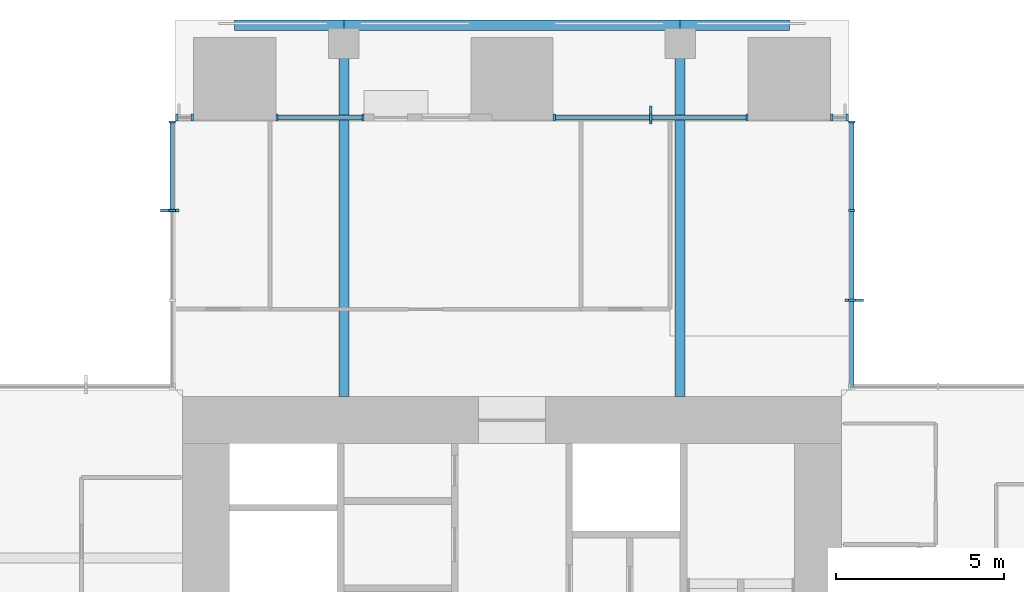
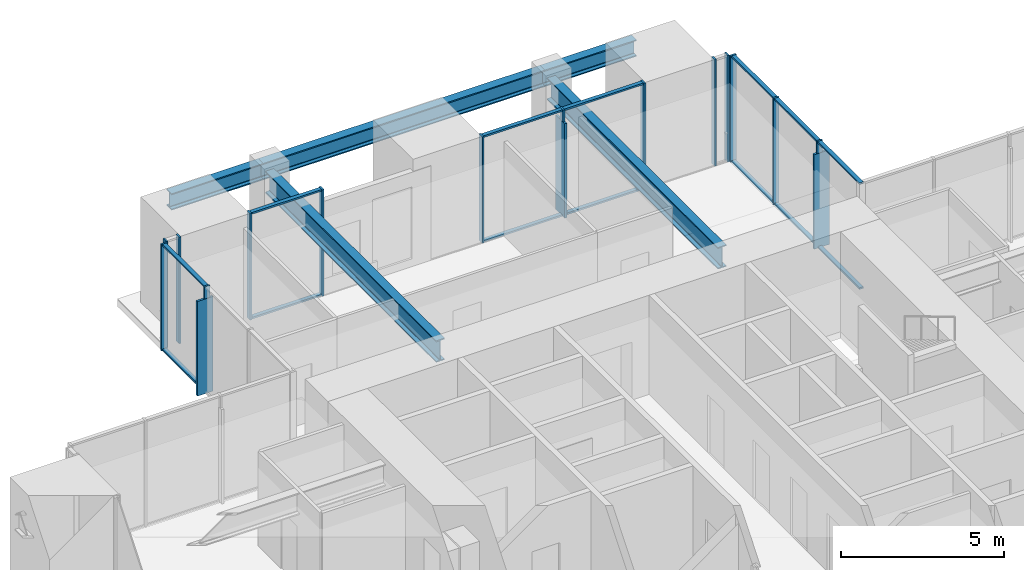
# One storey, part 5 of 17: 31 members, 5 beams, 6 elements without a shape of their own.
"""IFC4 building model written with IfcOpenShell, lengths in metres."""

from ifc_helpers import new_model, si_unit, direction, frame, origin, origin_2d, place, context, subcontext, project, spatial, rectangle, i_section, extrude, material, material_profile, profile_set, type_object, element, aggregate, save


model = new_model("IFC4")

# Units and contexts
model_context = context("Model", 3, precision=1e-05, world=origin(), true_north=direction((0.0, 1.0)))
body_context = subcontext(model_context, "Body", "Model", "MODEL_VIEW")
ifc_project = project(units=[si_unit("LENGTHUNIT", "METRE"), si_unit("AREAUNIT", "SQUARE_METRE"), si_unit("VOLUMEUNIT", "CUBIC_METRE"), si_unit("PLANEANGLEUNIT", "RADIAN"), si_unit("MASSUNIT", "GRAM", prefix="KILO")], contexts=[model_context])

# Site, building, storey
site_placement = place(None, origin())
site = spatial("IfcSite", under=ifc_project, at=site_placement, CompositionType="ELEMENT")
building_placement = place(site_placement, origin())
building = spatial("IfcBuilding", under=site, at=building_placement, Name="Svetlomir Tower", CompositionType="ELEMENT")
storey_placement = place(building_placement, frame((0.0, 0.0, 230.5)))
storey = spatial("IfcBuildingStorey", under=building, at=storey_placement, Name="L55", CompositionType="ELEMENT", Elevation=230.5)

# Curtain wall, member
ifc_material_1 = material(Name="Bronze anodised aluminium curtain wall", Category="aluminium")
curtain_wall_type = type_object("IfcCurtainWallType", Name="CURTAIN WALL CW1 TOWER OFFICE", PredefinedType="NOTDEFINED", material=ifc_material_1)
curtain_wall_1_placement = place(storey_placement, origin())
curtain_wall_1 = element("IfcCurtainWall", 1, at=curtain_wall_1_placement, inside=storey, type_object=curtain_wall_type, Name="Curtain wall CW1 L55", PredefinedType="NOTDEFINED")
ifc_material_2 = material(Name="Bronze anodised aluminium", Category="aluminium")
ifc_material_profile_1 = material_profile(ifc_material_2, rectangle(XDim=0.080078125, YDim=0.550048828125, at=origin_2d()), Name="FIN 80x550")
ifc_profile_set_1 = profile_set([ifc_material_profile_1], Name="Bronze anodised aluminium 6063-T6")
member_type_1 = type_object("IfcMemberType", Name="BRONZE FIN 80x550", PredefinedType="USERDEFINED", material=ifc_profile_set_1)
member_1_placement = place(storey_placement, frame((31.175048828125, 33.666748046875, 0.0), z_axis=(0.0, 0.0, 1.0), x_axis=(0.0, 1.0, 0.0)))
member_1 = element("IfcMember", 2, at=member_1_placement, type_object=member_type_1, Name="Bronze fin L55", ObjectType="FIN", PredefinedType="USERDEFINED", context=body_context, shape_type="SweptSolid", body=[
    extrude(rectangle(XDim=0.080078125, YDim=0.550048828125, at=origin_2d()), origin(), (0.0, 0.0, 1.0), 3.550048828125),
])

curtain_wall_2_placement = place(storey_placement, origin())
curtain_wall_2 = element("IfcCurtainWall", 3, at=curtain_wall_2_placement, inside=storey, type_object=curtain_wall_type, Name="Curtain wall CW1 L55", PredefinedType="NOTDEFINED")
member_2_placement = place(storey_placement, frame((25.125, 39.175048828125, 0.0), z_axis=(0.0, 0.0, 1.0), x_axis=(1.0, 0.0, 0.0)))
member_2 = element("IfcMember", 4, at=member_2_placement, type_object=member_type_1, Name="Bronze fin L55", ObjectType="FIN", PredefinedType="USERDEFINED", context=body_context, shape_type="SweptSolid", body=[
    extrude(rectangle(XDim=0.080078125, YDim=0.550048828125, at=origin_2d()), origin(), (0.0, 0.0, 1.0), 3.550048828125),
])

curtain_wall_3_placement = place(storey_placement, origin())
curtain_wall_3 = element("IfcCurtainWall", 5, at=curtain_wall_3_placement, inside=storey, type_object=curtain_wall_type, Name="Curtain wall CW1 L55", PredefinedType="NOTDEFINED")
member_3_placement = place(storey_placement, frame((10.824951171875, 36.333251953125, 0.0), z_axis=(0.0, 0.0, 1.0), x_axis=(0.0, 1.0, 0.0)))
member_3 = element("IfcMember", 6, at=member_3_placement, type_object=member_type_1, Name="Bronze fin L55", ObjectType="FIN", PredefinedType="USERDEFINED", context=body_context, shape_type="SweptSolid", body=[
    extrude(rectangle(XDim=0.080078125, YDim=0.550048828125, at=origin_2d()), origin(), (0.0, 0.0, 1.0), 3.550048828125),
])

# Member
ifc_material_3 = material(Name="Bronze anodised aluminium", Category="aluminium")
ifc_material_profile_2 = material_profile(ifc_material_3, rectangle(XDim=0.06494140625, YDim=0.199951171875, at=origin_2d()), Name="AL 65x200")
ifc_profile_set_2 = profile_set([ifc_material_profile_2], Name="Bronze anodised aluminium 6063-T6")
member_type_2 = type_object("IfcMemberType", Name="CW1 MULLION 65x200", PredefinedType="MULLION", material=ifc_profile_set_2)
member_4_placement = place(storey_placement, frame((31.10009765625, 33.666748046875, 0.0), z_axis=(0.0, 0.0, 1.0), x_axis=(0.0, 1.0, 0.0)))
member_4 = element("IfcMember", 7, at=member_4_placement, type_object=member_type_2, Name="CW1 mullion 2", PredefinedType="MULLION", context=body_context, shape_type="SweptSolid", body=[
    extrude(rectangle(XDim=0.06494140625, YDim=0.199951171875, at=origin_2d()), origin(), (0.0, 0.0, 1.0), 4.0),
])

member_5_placement = place(storey_placement, frame((31.10009765625, 36.333251953125, 0.0), z_axis=(0.0, 0.0, 1.0), x_axis=(0.0, 1.0, 0.0)))
member_5 = element("IfcMember", 8, at=member_5_placement, type_object=member_type_2, Name="CW1 mullion 3", PredefinedType="MULLION", context=body_context, shape_type="SweptSolid", body=[
    extrude(rectangle(XDim=0.06494140625, YDim=0.199951171875, at=origin_2d()), origin(), (0.0, 0.0, 1.0), 4.0),
])

member_6_placement = place(storey_placement, frame((31.10009765625, 38.967529296875, 0.0), z_axis=(0.0, 0.0, 1.0), x_axis=(0.0, 1.0, 0.0)))
member_6 = element("IfcMember", 9, at=member_6_placement, type_object=member_type_2, Name="CW1 mullion 4", PredefinedType="MULLION", context=body_context, shape_type="SweptSolid", body=[
    extrude(rectangle(XDim=0.06494140625, YDim=0.199951171875, at=origin_2d()), origin(), (0.0, 0.0, 1.0), 4.0),
])

# Curtain wall, members
curtain_wall_4_placement = place(storey_placement, origin())
curtain_wall_4 = element("IfcCurtainWall", 10, at=curtain_wall_4_placement, inside=storey, type_object=curtain_wall_type, Name="Curtain wall CW1 L55", PredefinedType="NOTDEFINED")
member_7_placement = place(storey_placement, frame((30.967529296875, 39.10009765625, 0.0), z_axis=(0.0, 0.0, 1.0), x_axis=(-1.0, 0.0, 0.0)))
member_7 = element("IfcMember", 11, at=member_7_placement, type_object=member_type_2, Name="CW1 mullion 1", PredefinedType="MULLION", context=body_context, shape_type="SweptSolid", body=[
    extrude(rectangle(XDim=0.06494140625, YDim=0.199951171875, at=origin_2d()), origin(), (0.0, 0.0, 1.0), 4.0),
])
member_8_placement = place(storey_placement, frame((30.507568359375, 39.10009765625, 0.0), z_axis=(0.0, 0.0, 1.0), x_axis=(-1.0, 0.0, 0.0)))
member_8 = element("IfcMember", 12, at=member_8_placement, type_object=member_type_2, Name="CW1 mullion 2", PredefinedType="MULLION", context=body_context, shape_type="SweptSolid", body=[
    extrude(rectangle(XDim=0.06494140625, YDim=0.199951171875, at=origin_2d()), origin(), (0.0, 0.0, 1.0), 4.0),
])
aggregate(curtain_wall_4, [member_7, member_8])

# Member
member_9_placement = place(storey_placement, frame((27.992431640625, 39.10009765625, 0.0), z_axis=(0.0, 0.0, 1.0), x_axis=(-1.0, 0.0, 0.0)))
member_9 = element("IfcMember", 13, at=member_9_placement, type_object=member_type_2, Name="CW1 mullion 1", PredefinedType="MULLION", context=body_context, shape_type="SweptSolid", body=[
    extrude(rectangle(XDim=0.06494140625, YDim=0.199951171875, at=origin_2d()), origin(), (0.0, 0.0, 1.0), 4.0),
])

member_10_placement = place(storey_placement, frame((25.125, 39.10009765625, 0.0), z_axis=(0.0, 0.0, 1.0), x_axis=(-1.0, 0.0, 0.0)))
member_10 = element("IfcMember", 14, at=member_10_placement, type_object=member_type_2, Name="CW1 mullion 2", PredefinedType="MULLION", context=body_context, shape_type="SweptSolid", body=[
    extrude(rectangle(XDim=0.06494140625, YDim=0.199951171875, at=origin_2d()), origin(), (0.0, 0.0, 1.0), 4.0),
])

member_11_placement = place(storey_placement, frame((22.257568359375, 39.10009765625, 0.0), z_axis=(0.0, 0.0, 1.0), x_axis=(-1.0, 0.0, 0.0)))
member_11 = element("IfcMember", 15, at=member_11_placement, type_object=member_type_2, Name="CW1 mullion 3", PredefinedType="MULLION", context=body_context, shape_type="SweptSolid", body=[
    extrude(rectangle(XDim=0.06494140625, YDim=0.199951171875, at=origin_2d()), origin(), (0.0, 0.0, 1.0), 4.0),
])

# Curtain wall, members
curtain_wall_5_placement = place(storey_placement, origin())
curtain_wall_5 = element("IfcCurtainWall", 16, at=curtain_wall_5_placement, inside=storey, type_object=curtain_wall_type, Name="Curtain wall CW1 L55", PredefinedType="NOTDEFINED")
member_12_placement = place(storey_placement, frame((16.5673828125, 39.10009765625, 0.0), z_axis=(0.0, 0.0, 1.0), x_axis=(-1.0, 0.0, 0.0)))
member_12 = element("IfcMember", 17, at=member_12_placement, type_object=member_type_2, Name="CW1 mullion 1", PredefinedType="MULLION", context=body_context, shape_type="SweptSolid", body=[
    extrude(rectangle(XDim=0.06494140625, YDim=0.199951171875, at=origin_2d()), origin(), (0.0, 0.0, 1.0), 4.0),
])
member_13_placement = place(storey_placement, frame((14.007568359375, 39.10009765625, 0.0), z_axis=(0.0, 0.0, 1.0), x_axis=(-1.0, 0.0, 0.0)))
member_13 = element("IfcMember", 18, at=member_13_placement, type_object=member_type_2, Name="CW1 mullion 2", PredefinedType="MULLION", context=body_context, shape_type="SweptSolid", body=[
    extrude(rectangle(XDim=0.06494140625, YDim=0.199951171875, at=origin_2d()), origin(), (0.0, 0.0, 1.0), 4.0),
])

curtain_wall_6_placement = place(storey_placement, origin())
curtain_wall_6 = element("IfcCurtainWall", 19, at=curtain_wall_6_placement, inside=storey, type_object=curtain_wall_type, Name="Curtain wall CW1 L55", PredefinedType="NOTDEFINED")
member_14_placement = place(storey_placement, frame((11.492431640625, 39.10009765625, 0.0), z_axis=(0.0, 0.0, 1.0), x_axis=(-1.0, 0.0, 0.0)))
member_14 = element("IfcMember", 20, at=member_14_placement, type_object=member_type_2, Name="CW1 mullion 1", PredefinedType="MULLION", context=body_context, shape_type="SweptSolid", body=[
    extrude(rectangle(XDim=0.06494140625, YDim=0.199951171875, at=origin_2d()), origin(), (0.0, 0.0, 1.0), 4.0),
])
member_15_placement = place(storey_placement, frame((11.032470703125, 39.10009765625, 0.0), z_axis=(0.0, 0.0, 1.0), x_axis=(-1.0, 0.0, 0.0)))
member_15 = element("IfcMember", 21, at=member_15_placement, type_object=member_type_2, Name="CW1 mullion 2", PredefinedType="MULLION", context=body_context, shape_type="SweptSolid", body=[
    extrude(rectangle(XDim=0.06494140625, YDim=0.199951171875, at=origin_2d()), origin(), (0.0, 0.0, 1.0), 4.0),
])
aggregate(curtain_wall_6, [member_14, member_15])

# Member
member_16_placement = place(storey_placement, frame((10.89990234375, 38.967529296875, 0.0), z_axis=(0.0, 0.0, 1.0), x_axis=(0.0, -1.0, 0.0)))
member_16 = element("IfcMember", 22, at=member_16_placement, type_object=member_type_2, Name="CW1 mullion 1", PredefinedType="MULLION", context=body_context, shape_type="SweptSolid", body=[
    extrude(rectangle(XDim=0.06494140625, YDim=0.199951171875, at=origin_2d()), origin(), (0.0, 0.0, 1.0), 4.0),
])

member_17_placement = place(storey_placement, frame((10.89990234375, 36.333251953125, 0.0), z_axis=(0.0, 0.0, 1.0), x_axis=(0.0, -1.0, 0.0)))
member_17 = element("IfcMember", 23, at=member_17_placement, type_object=member_type_2, Name="CW1 mullion 2", PredefinedType="MULLION", context=body_context, shape_type="SweptSolid", body=[
    extrude(rectangle(XDim=0.06494140625, YDim=0.199951171875, at=origin_2d()), origin(), (0.0, 0.0, 1.0), 4.0),
])

ifc_material_4 = material(Name="Bronze anodised aluminium", Category="aluminium")
ifc_material_profile_3 = material_profile(ifc_material_4, rectangle(XDim=0.139892578125, YDim=0.06494140625, at=origin_2d()), Name="AL 140x65")
ifc_profile_set_3 = profile_set([ifc_material_profile_3], Name="Bronze anodised aluminium 6063-T6")
member_type_3 = type_object("IfcMemberType", Name="CW1 TRANSOM 65x140", PredefinedType="USERDEFINED", material=ifc_profile_set_3)
member_18_placement = place(storey_placement, frame((31.10009765625, 31.06494140625, 0.032470703125), z_axis=(0.0, 1.0, 0.0), x_axis=(-1.0, 0.0, 0.0)))
member_18 = element("IfcMember", 24, at=member_18_placement, type_object=member_type_3, Name="CW1 transom 1.1", ObjectType="TRANSOM", PredefinedType="USERDEFINED", context=body_context, shape_type="SweptSolid", body=[
    extrude(rectangle(XDim=0.139892578125, YDim=0.06494140625, at=origin_2d()), origin(), (0.0, 0.0, 1.0), 2.5693359375),
])

member_19_placement = place(storey_placement, frame((31.10009765625, 31.06494140625, 3.967529296875), z_axis=(0.0, 1.0, 0.0), x_axis=(-1.0, 0.0, 0.0)))
member_19 = element("IfcMember", 25, at=member_19_placement, type_object=member_type_3, Name="CW1 transom 1.2", ObjectType="TRANSOM", PredefinedType="USERDEFINED", context=body_context, shape_type="SweptSolid", body=[
    extrude(rectangle(XDim=0.139892578125, YDim=0.06494140625, at=origin_2d()), origin(), (0.0, 0.0, 1.0), 2.5693359375),
])

member_20_placement = place(storey_placement, frame((31.10009765625, 33.69921875, 0.032470703125), z_axis=(0.0, 1.0, 0.0), x_axis=(-1.0, 0.0, 0.0)))
member_20 = element("IfcMember", 26, at=member_20_placement, type_object=member_type_3, Name="CW1 transom 2.1", ObjectType="TRANSOM", PredefinedType="USERDEFINED", context=body_context, shape_type="SweptSolid", body=[
    extrude(rectangle(XDim=0.139892578125, YDim=0.06494140625, at=origin_2d()), origin(), (0.0, 0.0, 1.0), 2.6015625),
])

member_21_placement = place(storey_placement, frame((31.10009765625, 33.69921875, 3.967529296875), z_axis=(0.0, 1.0, 0.0), x_axis=(-1.0, 0.0, 0.0)))
member_21 = element("IfcMember", 27, at=member_21_placement, type_object=member_type_3, Name="CW1 transom 2.2", ObjectType="TRANSOM", PredefinedType="USERDEFINED", context=body_context, shape_type="SweptSolid", body=[
    extrude(rectangle(XDim=0.139892578125, YDim=0.06494140625, at=origin_2d()), origin(), (0.0, 0.0, 1.0), 2.6015625),
])

member_22_placement = place(storey_placement, frame((31.10009765625, 36.36572265625, 0.032470703125), z_axis=(0.0, 1.0, 0.0), x_axis=(-1.0, 0.0, 0.0)))
member_22 = element("IfcMember", 28, at=member_22_placement, type_object=member_type_3, Name="CW1 transom 3.1", ObjectType="TRANSOM", PredefinedType="USERDEFINED", context=body_context, shape_type="SweptSolid", body=[
    extrude(rectangle(XDim=0.139892578125, YDim=0.06494140625, at=origin_2d()), origin(), (0.0, 0.0, 1.0), 2.5693359375),
])

member_23_placement = place(storey_placement, frame((31.10009765625, 36.36572265625, 3.967529296875), z_axis=(0.0, 1.0, 0.0), x_axis=(-1.0, 0.0, 0.0)))
member_23 = element("IfcMember", 29, at=member_23_placement, type_object=member_type_3, Name="CW1 transom 3.2", ObjectType="TRANSOM", PredefinedType="USERDEFINED", context=body_context, shape_type="SweptSolid", body=[
    extrude(rectangle(XDim=0.139892578125, YDim=0.06494140625, at=origin_2d()), origin(), (0.0, 0.0, 1.0), 2.5693359375),
])

aggregate(curtain_wall_1, [member_4, member_5, member_6, member_18, member_19, member_20, member_21, member_22, member_23, member_1])

member_24_placement = place(storey_placement, frame((27.9599609375, 39.10009765625, 0.032470703125), z_axis=(-1.0, 0.0, 0.0), x_axis=(0.0, -1.0, 0.0)))
member_24 = element("IfcMember", 30, at=member_24_placement, type_object=member_type_3, Name="CW1 transom 1.1", ObjectType="TRANSOM", PredefinedType="USERDEFINED", context=body_context, shape_type="SweptSolid", body=[
    extrude(rectangle(XDim=0.139892578125, YDim=0.06494140625, at=origin_2d()), origin(), (0.0, 0.0, 1.0), 2.802490234375),
])

member_25_placement = place(storey_placement, frame((27.9599609375, 39.10009765625, 3.967529296875), z_axis=(-1.0, 0.0, 0.0), x_axis=(0.0, -1.0, 0.0)))
member_25 = element("IfcMember", 31, at=member_25_placement, type_object=member_type_3, Name="CW1 transom 1.2", ObjectType="TRANSOM", PredefinedType="USERDEFINED", context=body_context, shape_type="SweptSolid", body=[
    extrude(rectangle(XDim=0.139892578125, YDim=0.06494140625, at=origin_2d()), origin(), (0.0, 0.0, 1.0), 2.802490234375),
])

member_26_placement = place(storey_placement, frame((25.092529296875, 39.10009765625, 0.032470703125), z_axis=(-1.0, 0.0, 0.0), x_axis=(0.0, -1.0, 0.0)))
member_26 = element("IfcMember", 32, at=member_26_placement, type_object=member_type_3, Name="CW1 transom 2.1", ObjectType="TRANSOM", PredefinedType="USERDEFINED", context=body_context, shape_type="SweptSolid", body=[
    extrude(rectangle(XDim=0.139892578125, YDim=0.06494140625, at=origin_2d()), origin(), (0.0, 0.0, 1.0), 2.802490234375),
])

member_27_placement = place(storey_placement, frame((25.092529296875, 39.10009765625, 3.967529296875), z_axis=(-1.0, 0.0, 0.0), x_axis=(0.0, -1.0, 0.0)))
member_27 = element("IfcMember", 33, at=member_27_placement, type_object=member_type_3, Name="CW1 transom 2.2", ObjectType="TRANSOM", PredefinedType="USERDEFINED", context=body_context, shape_type="SweptSolid", body=[
    extrude(rectangle(XDim=0.139892578125, YDim=0.06494140625, at=origin_2d()), origin(), (0.0, 0.0, 1.0), 2.802490234375),
])

aggregate(curtain_wall_2, [member_9, member_10, member_11, member_24, member_25, member_26, member_27, member_2])

member_28_placement = place(storey_placement, frame((16.534912109375, 39.10009765625, 0.032470703125), z_axis=(-1.0, 0.0, 0.0), x_axis=(0.0, -1.0, 0.0)))
member_28 = element("IfcMember", 34, at=member_28_placement, type_object=member_type_3, Name="CW1 transom 1.1", ObjectType="TRANSOM", PredefinedType="USERDEFINED", context=body_context, shape_type="SweptSolid", body=[
    extrude(rectangle(XDim=0.139892578125, YDim=0.06494140625, at=origin_2d()), origin(), (0.0, 0.0, 1.0), 2.494873046875),
])

member_29_placement = place(storey_placement, frame((16.534912109375, 39.10009765625, 3.967529296875), z_axis=(-1.0, 0.0, 0.0), x_axis=(0.0, -1.0, 0.0)))
member_29 = element("IfcMember", 35, at=member_29_placement, type_object=member_type_3, Name="CW1 transom 1.2", ObjectType="TRANSOM", PredefinedType="USERDEFINED", context=body_context, shape_type="SweptSolid", body=[
    extrude(rectangle(XDim=0.139892578125, YDim=0.06494140625, at=origin_2d()), origin(), (0.0, 0.0, 1.0), 2.494873046875),
])

aggregate(curtain_wall_5, [member_12, member_13, member_28, member_29])

member_30_placement = place(storey_placement, frame((10.89990234375, 38.93505859375, 0.032470703125), z_axis=(0.0, -1.0, 0.0), x_axis=(1.0, 0.0, 0.0)))
member_30 = element("IfcMember", 36, at=member_30_placement, type_object=member_type_3, Name="CW1 transom 1.1", ObjectType="TRANSOM", PredefinedType="USERDEFINED", context=body_context, shape_type="SweptSolid", body=[
    extrude(rectangle(XDim=0.139892578125, YDim=0.06494140625, at=origin_2d()), origin(), (0.0, 0.0, 1.0), 2.5693359375),
])

member_31_placement = place(storey_placement, frame((10.89990234375, 38.93505859375, 3.967529296875), z_axis=(0.0, -1.0, 0.0), x_axis=(1.0, 0.0, 0.0)))
member_31 = element("IfcMember", 37, at=member_31_placement, type_object=member_type_3, Name="CW1 transom 1.2", ObjectType="TRANSOM", PredefinedType="USERDEFINED", context=body_context, shape_type="SweptSolid", body=[
    extrude(rectangle(XDim=0.139892578125, YDim=0.06494140625, at=origin_2d()), origin(), (0.0, 0.0, 1.0), 2.5693359375),
])

aggregate(curtain_wall_3, [member_16, member_17, member_30, member_31, member_3])

# Beams
ifc_material_5 = material(Name="Steel S355", Category="steel")
ifc_material_profile_4 = material_profile(ifc_material_5, i_section(OverallWidth=0.304931640625, OverallDepth=0.6201171875, WebThickness=0.02099609375, FlangeThickness=0.0400390625, FilletRadius=0.027099609375, at=origin_2d()), Name="HEM 600")
ifc_profile_set_4 = profile_set([ifc_material_profile_4], Name="Steel S355")
beam_type_1 = type_object("IfcBeamType", Name="EDGE BEAM HEM 600", PredefinedType="SPANDREL", material=ifc_profile_set_4)
beam_1_placement = place(storey_placement, frame((12.75, 41.847412109375, 3.239990234375), z_axis=(1.0, 0.0, 0.0), x_axis=(0.0, 1.0, 0.0)))
element("IfcBeam", 38, at=beam_1_placement, inside=storey, type_object=beam_type_1, Name="Edge beam 11/42 to 16/42 under L56", PredefinedType="SPANDREL", context=body_context, shape_type="SweptSolid", body=[
    extrude(i_section(OverallWidth=0.304931640625, OverallDepth=0.6201171875, WebThickness=0.02099609375, FlangeThickness=0.0400390625, FilletRadius=0.027099609375, at=origin_2d()), origin(), (0.0, 0.0, 1.0), 3.25),
])
beam_2_placement = place(storey_placement, frame((16.0, 41.847412109375, 3.239990234375), z_axis=(1.0, 0.0, 0.0), x_axis=(0.0, 1.0, 0.0)))
element("IfcBeam", 39, at=beam_2_placement, inside=storey, type_object=beam_type_1, Name="Edge beam 16/42 to 26/42 under L56", PredefinedType="SPANDREL", context=body_context, shape_type="SweptSolid", body=[
    extrude(i_section(OverallWidth=0.304931640625, OverallDepth=0.6201171875, WebThickness=0.02099609375, FlangeThickness=0.0400390625, FilletRadius=0.027099609375, at=origin_2d()), origin(), (0.0, 0.0, 1.0), 10.0),
])
beam_3_placement = place(storey_placement, frame((26.0, 41.847412109375, 3.239990234375), z_axis=(1.0, 0.0, 0.0), x_axis=(0.0, 1.0, 0.0)))
element("IfcBeam", 40, at=beam_3_placement, inside=storey, type_object=beam_type_1, Name="Edge beam 26/42 to 31/42 under L56", PredefinedType="SPANDREL", context=body_context, shape_type="SweptSolid", body=[
    extrude(i_section(OverallWidth=0.304931640625, OverallDepth=0.6201171875, WebThickness=0.02099609375, FlangeThickness=0.0400390625, FilletRadius=0.027099609375, at=origin_2d()), origin(), (0.0, 0.0, 1.0), 3.25),
])
ifc_material_6 = material(Name="Steel S355", Category="steel")
ifc_material_profile_5 = material_profile(ifc_material_6, i_section(OverallWidth=0.302978515625, OverallDepth=0.81396484375, WebThickness=0.02099609375, FlangeThickness=0.0400390625, FilletRadius=0.030029296875, at=origin_2d()), Name="HEM 800")
ifc_profile_set_5 = profile_set([ifc_material_profile_5], Name="Steel S355")
beam_type_2 = type_object("IfcBeamType", Name="PLANT FLOOR BEAM HEM 800", PredefinedType="BEAM", material=ifc_profile_set_5)
for number, where, z_axis, x_axis, name in (
    (41, (16.0, 41.300048828125, 3.14306640625), (0.0, -1.0, 0.0), (1.0, 0.0, 0.0), "Plant floor beam N 16 under L56"),
    (42, (26.0, 41.300048828125, 3.14306640625), (0.0, -1.0, 0.0), (1.0, 0.0, 0.0), "Plant floor beam N 26 under L56"),
):
    element("IfcBeam", number, at=place(storey_placement, frame(where, z_axis=z_axis, x_axis=x_axis)), inside=storey, type_object=beam_type_2, Name=name, PredefinedType="BEAM", context=body_context, shape_type="SweptSolid", body=[
        extrude(i_section(OverallWidth=0.302978515625, OverallDepth=0.81396484375, WebThickness=0.02099609375, FlangeThickness=0.0400390625, FilletRadius=0.030029296875, at=origin_2d()), origin(), (0.0, 0.0, 1.0), 10.5),
    ])

save(model, "model.ifc")
